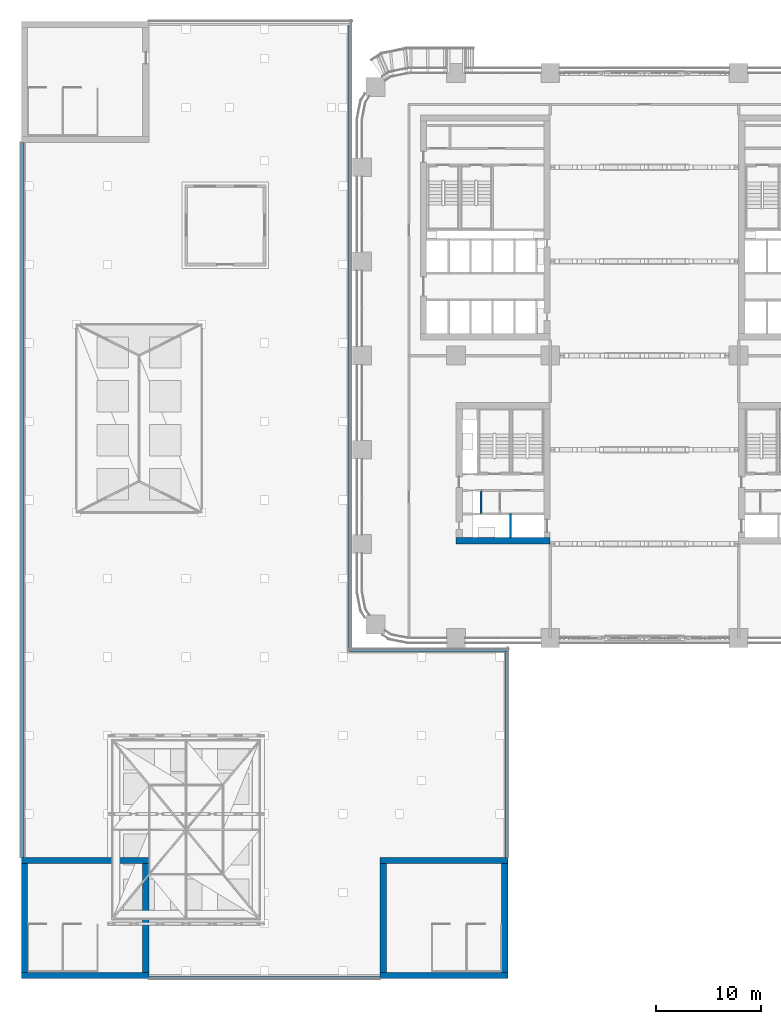
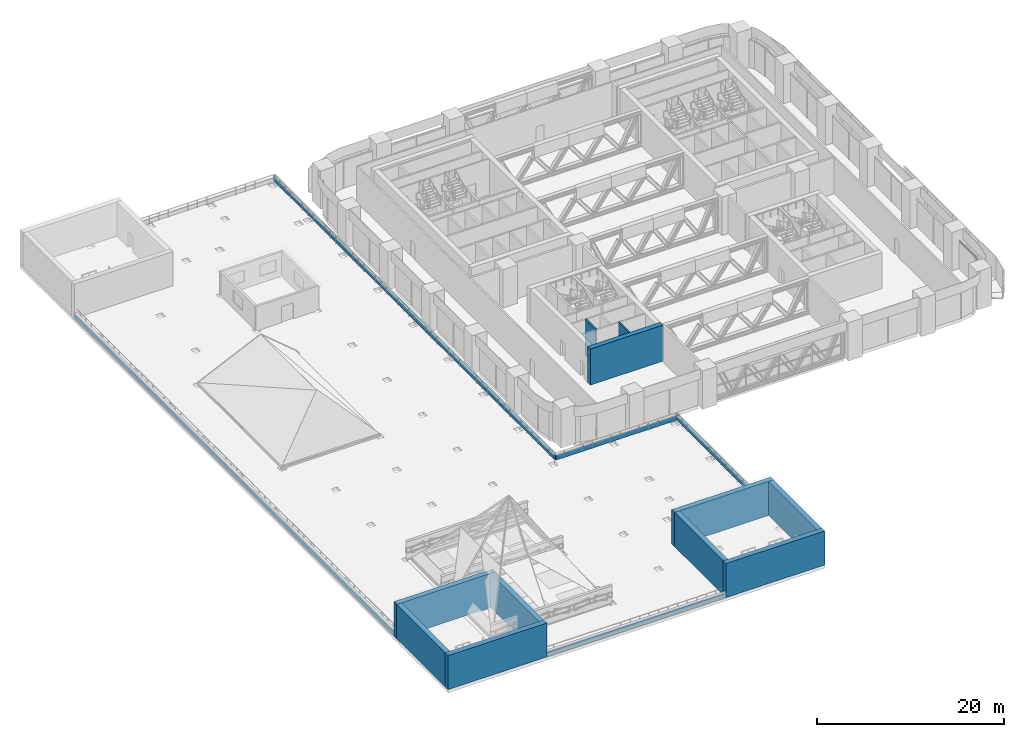
# One storey, part 21 of 35: 16 walls.
"""IFC4 building model written with IfcOpenShell, lengths in metres."""

from ifc_helpers import new_model, si_unit, direction, frame, frame_2d, origin, place, context, subcontext, project, spatial, rectangle, extrude, material, layer, layer_set, type_object, element, save


model = new_model("IFC4")

# Units and contexts
model_context = context("Model", 3, precision=1e-05, world=origin(), true_north=direction((0.0, 1.0)))
body_context = subcontext(model_context, "Body", "Model", "MODEL_VIEW")
ifc_project = project(units=[si_unit("LENGTHUNIT", "METRE"), si_unit("AREAUNIT", "SQUARE_METRE"), si_unit("VOLUMEUNIT", "CUBIC_METRE"), si_unit("PLANEANGLEUNIT", "RADIAN"), si_unit("MASSUNIT", "GRAM", prefix="KILO")], contexts=[model_context])

# Site, building, storey
site_placement = place(None, origin())
site = spatial("IfcSite", under=ifc_project, at=site_placement, CompositionType="ELEMENT")
building_placement = place(site_placement, origin())
building = spatial("IfcBuilding", under=site, at=building_placement, Name="Tessera Arch", CompositionType="ELEMENT")
storey_placement = place(building_placement, frame((0.0, 0.0, 26.0)))
storey = spatial("IfcBuildingStorey", under=building, at=storey_placement, Name="L04", CompositionType="ELEMENT", Elevation=26.0)

# Walls
ifc_material_1 = material(Name="Concrete C70/85", Category="concrete")
ifc_layer_1 = layer(ifc_material_1, 0.60009765625)
ifc_layer_set_1 = layer_set([ifc_layer_1], Name="Core shell wall 600 C70-85")
wall_type_1 = type_object("IfcWallType", Name="Core shell wall 600 C70-85", PredefinedType="SHEAR", material=ifc_layer_set_1)
wall_1_placement = place(storey_placement, frame((9.0, 9.300048828125, 0.0), z_axis=(0.0, 0.0, 1.0), x_axis=(1.0, 0.0, 0.0)))
element("IfcWall", 1, at=wall_1_placement, inside=storey, type_object=wall_type_1, Name="L04 C4 core wall S", PredefinedType="SHEAR", context=body_context, shape_type="SweptSolid", body=[
    extrude(rectangle(XDim=9.0, YDim=0.60009765625, at=frame_2d((4.5, 0.0))), origin(), (0.0, 0.0, 1.0), 4.699951171875),
])
for number, where, z_axis, x_axis, name in (
    (2, (-32.550048828125, -32.25, 0.0), (0.0, 0.0, 1.0), (1.0, 0.0, 0.0), "L04 M2 core wall S"),
    (3, (-32.550048828125, -21.25, 0.0), (0.0, 0.0, 1.0), (1.0, 0.0, 0.0), "L04 M2 core wall N"),
):
    element("IfcWall", number, at=place(storey_placement, frame(where, z_axis=z_axis, x_axis=x_axis)), inside=storey, type_object=wall_type_1, Name=name, PredefinedType="SHEAR", context=body_context, shape_type="SweptSolid", body=[
        extrude(rectangle(XDim=12.199951171875, YDim=0.60009765625, at=frame_2d((6.10009765625, 0.0))), origin(), (0.0, 0.0, 1.0), 4.449951171875),
    ])
for number, where, z_axis, x_axis, name in (
    (4, (-32.25, -31.949951171875, 0.0), (0.0, 0.0, 1.0), (0.0, 1.0, 0.0), "L04 M2 core wall W"),
    (5, (-20.64990234375, -31.949951171875, 0.0), (0.0, 0.0, 1.0), (0.0, 1.0, 0.0), "L04 M2 core wall E"),
):
    element("IfcWall", number, at=place(storey_placement, frame(where, z_axis=z_axis, x_axis=x_axis)), inside=storey, type_object=wall_type_1, Name=name, PredefinedType="SHEAR", context=body_context, shape_type="SweptSolid", body=[
        extrude(rectangle(XDim=10.39990234375, YDim=0.60009765625, at=frame_2d((5.199951171875, 0.0))), origin(), (0.0, 0.0, 1.0), 4.449951171875),
    ])
for number, where, z_axis, x_axis, name in (
    (6, (1.75, -32.25, 0.0), (0.0, 0.0, 1.0), (1.0, 0.0, 0.0), "L04 M3 core wall S"),
    (7, (1.75, -21.25, 0.0), (0.0, 0.0, 1.0), (1.0, 0.0, 0.0), "L04 M3 core wall N"),
):
    element("IfcWall", number, at=place(storey_placement, frame(where, z_axis=z_axis, x_axis=x_axis)), inside=storey, type_object=wall_type_1, Name=name, PredefinedType="SHEAR", context=body_context, shape_type="SweptSolid", body=[
        extrude(rectangle(XDim=12.199951171875, YDim=0.60009765625, at=frame_2d((6.10009765625, 0.0))), origin(), (0.0, 0.0, 1.0), 4.449951171875),
    ])
for number, where, z_axis, x_axis, name in (
    (8, (2.050048828125, -31.949951171875, 0.0), (0.0, 0.0, 1.0), (0.0, 1.0, 0.0), "L04 M3 core wall W"),
    (9, (13.64990234375, -31.949951171875, 0.0), (0.0, 0.0, 1.0), (0.0, 1.0, 0.0), "L04 M3 core wall E"),
):
    element("IfcWall", number, at=place(storey_placement, frame(where, z_axis=z_axis, x_axis=x_axis)), inside=storey, type_object=wall_type_1, Name=name, PredefinedType="SHEAR", context=body_context, shape_type="SweptSolid", body=[
        extrude(rectangle(XDim=10.39990234375, YDim=0.60009765625, at=frame_2d((5.199951171875, 0.0))), origin(), (0.0, 0.0, 1.0), 4.449951171875),
    ])
ifc_material_2 = material(Name="Aluminium cladding pale metal anodised", Category="aluminium")
ifc_layer_2 = layer(ifc_material_2, 0.219970703125)
ifc_layer_set_2 = layer_set([ifc_layer_2], Name="Museum parapet")
wall_type_2 = type_object("IfcWallType", Name="Museum parapet", PredefinedType="PARAPET", material=ifc_layer_set_2)
wall_2_placement = place(storey_placement, frame((-20.35009765625, -32.43994140625, 0.0), z_axis=(0.0, 0.0, 1.0), x_axis=(1.0, 0.0, 0.0)))
element("IfcWall", 10, at=wall_2_placement, inside=storey, type_object=wall_type_2, Name="Museum roof parapet", PredefinedType="PARAPET", context=body_context, shape_type="SweptSolid", body=[
    extrude(rectangle(XDim=22.10009765625, YDim=0.219970703125, at=frame_2d((11.050048828125, 0.0))), origin(), (0.0, 0.0, 1.0), 0.60009765625),
])
wall_3_placement = place(storey_placement, frame((13.840087890625, -20.949951171875, 0.0), z_axis=(0.0, 0.0, 1.0), x_axis=(0.0, 1.0, 0.0)))
element("IfcWall", 11, at=wall_3_placement, inside=storey, type_object=wall_type_2, Name="Museum roof parapet", PredefinedType="PARAPET", context=body_context, shape_type="SweptSolid", body=[
    extrude(rectangle(XDim=20.010009765625, YDim=0.219970703125, at=frame_2d((10.0048828125, 0.0))), origin(), (0.0, 0.0, 1.0), 0.60009765625),
])
wall_4_placement = place(storey_placement, frame((14.06005859375, -1.159912109375, 0.0), z_axis=(0.0, 0.0, 1.0), x_axis=(-1.0, 0.0, 0.0)))
element("IfcWall", 12, at=wall_4_placement, inside=storey, type_object=wall_type_2, Name="Museum roof parapet", PredefinedType="PARAPET", context=body_context, shape_type="SweptSolid", body=[
    extrude(rectangle(XDim=15.219970703125, YDim=0.219970703125, at=frame_2d((7.60986328125, 0.0))), origin(), (0.0, 0.0, 1.0), 0.60009765625),
])
wall_5_placement = place(storey_placement, frame((-1.159912109375, -1.159912109375, 0.0), z_axis=(0.0, 0.0, 1.0), x_axis=(0.0, 1.0, 0.0)))
element("IfcWall", 13, at=wall_5_placement, inside=storey, type_object=wall_type_2, Name="Museum roof parapet", PredefinedType="PARAPET", context=body_context, shape_type="SweptSolid", body=[
    extrude(rectangle(XDim=60.219970703125, YDim=0.219970703125, at=frame_2d((30.10986328125, 0.0))), origin(), (0.0, 0.0, 1.0), 0.60009765625),
])
wall_6_placement = place(storey_placement, frame((-32.43994140625, 47.35009765625, 0.0), z_axis=(0.0, 0.0, 1.0), x_axis=(0.0, -1.0, 0.0)))
element("IfcWall", 14, at=wall_6_placement, inside=storey, type_object=wall_type_2, Name="Museum roof parapet", PredefinedType="PARAPET", context=body_context, shape_type="SweptSolid", body=[
    extrude(rectangle(XDim=68.300048828125, YDim=0.219970703125, at=frame_2d((34.14990234375, 0.0))), origin(), (0.0, 0.0, 1.0), 0.60009765625),
])
ifc_material_3 = material(Name="Concrete C40/50", Category="concrete")
ifc_layer_3 = layer(ifc_material_3, 0.199951171875)
ifc_layer_set_3 = layer_set([ifc_layer_3], Name="Shaft wall 200 EI 120")
wall_type_3 = type_object("IfcWallType", Name="Shaft wall 200 EI 120", PredefinedType="SOLIDWALL", material=ifc_layer_set_3)
wall_7_placement = place(storey_placement, frame((11.39990234375, 11.89990234375, 0.0), z_axis=(0.0, 0.0, 1.0), x_axis=(0.0, 1.0, 0.0)))
element("IfcWall", 15, at=wall_7_placement, inside=storey, type_object=wall_type_3, Name="L04 C4 shaft wall 4", PredefinedType="SOLIDWALL", context=body_context, shape_type="SweptSolid", body=[
    extrude(rectangle(XDim=2.2001953125, YDim=0.199951171875, at=frame_2d((1.10009765625, 0.0))), origin(), (0.0, 0.0, 1.0), 4.699951171875),
])
wall_8_placement = place(storey_placement, frame((14.199951171875, 9.60009765625, 0.0), z_axis=(0.0, 0.0, 1.0), x_axis=(0.0, 1.0, 0.0)))
element("IfcWall", 16, at=wall_8_placement, inside=storey, type_object=wall_type_3, Name="L04 C4 shaft wall 6", PredefinedType="SOLIDWALL", context=body_context, shape_type="SweptSolid", body=[
    extrude(rectangle(XDim=2.2998046875, YDim=0.199951171875, at=frame_2d((1.14990234375, 0.0))), origin(), (0.0, 0.0, 1.0), 4.699951171875),
])

save(model, "model.ifc")
